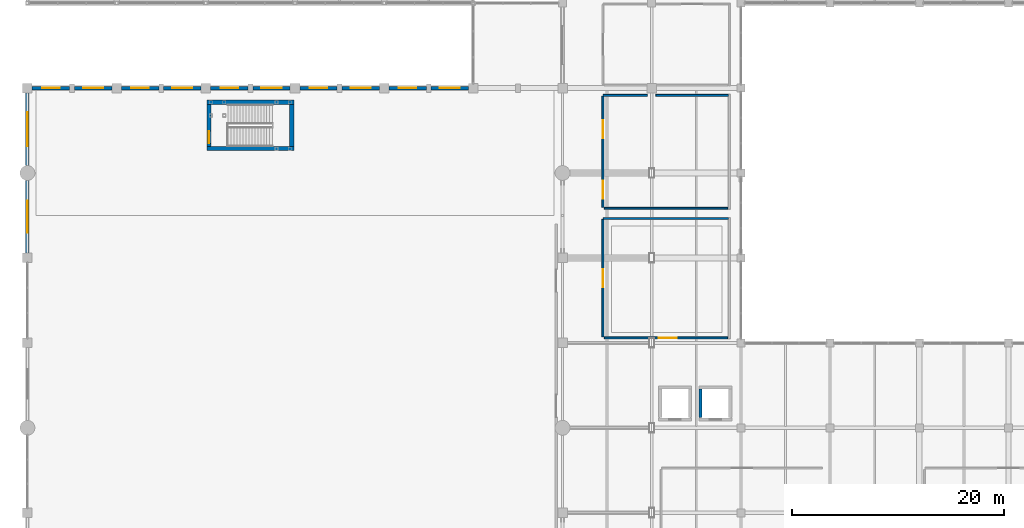
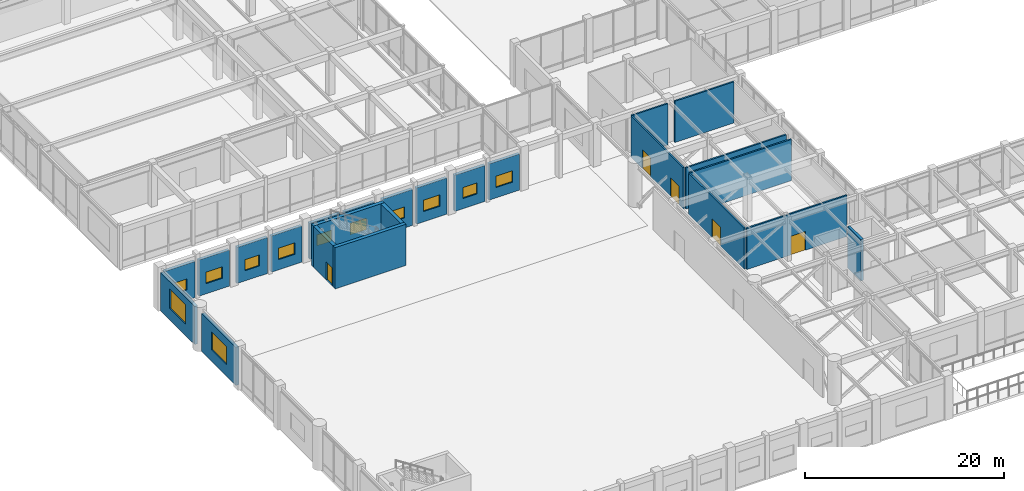
# One storey, part 57 of 79: 24 walls, 12 windows, 5 doors, 17 openings.
"""IFC4 building model written with IfcOpenShell, lengths in metres."""

from ifc_helpers import new_model, si_unit, direction, frame, frame_2d, origin, place, context, subcontext, project, spatial, rectangle, extrude, material, layer, layer_set, type_object, element, fill, save


model = new_model("IFC4")

# Units and contexts
model_context = context("Model", 3, precision=1e-05, world=origin(), true_north=direction((0.0, 1.0)))
body_context = subcontext(model_context, "Body", "Model", "MODEL_VIEW")
ifc_project = project(units=[si_unit("LENGTHUNIT", "METRE"), si_unit("AREAUNIT", "SQUARE_METRE"), si_unit("VOLUMEUNIT", "CUBIC_METRE"), si_unit("PLANEANGLEUNIT", "RADIAN"), si_unit("MASSUNIT", "GRAM", prefix="KILO")], contexts=[model_context])

# Site, building, storey
site_placement = place(None, origin())
site = spatial("IfcSite", under=ifc_project, at=site_placement, CompositionType="ELEMENT")
building_placement = place(site_placement, origin())
building = spatial("IfcBuilding", under=site, at=building_placement, Name="Naruveol Harbour Congress Hotel", CompositionType="ELEMENT")
storey_placement = place(building_placement, frame((0.0, 0.0, 6.0)))
storey = spatial("IfcBuildingStorey", under=building, at=storey_placement, Name="L01", CompositionType="ELEMENT", Elevation=6.0)

# Wall, opening, window
ifc_material_1 = material(Name="Concrete C40/50", Category="concrete")
ifc_layer_1 = layer(ifc_material_1, 0.340087890625)
ifc_layer_set_1 = layer_set([ifc_layer_1], Name="Concrete C40/50")
wall_type_1 = type_object("IfcWallType", Name="ACOUSTIC CONGRESS ENVELOPE WALL 340", PredefinedType="SOLIDWALL", material=ifc_layer_set_1)
wall_1_placement = place(storey_placement, frame((0.0, 40.449951171875, 0.0), z_axis=(0.0, 0.0, 1.0), x_axis=(0.0, 1.0, 0.0)))
wall_1 = element("IfcWall", 1, at=wall_1_placement, inside=storey, type_object=wall_type_1, Name="Congress west quay facade EW-340", PredefinedType="SOLIDWALL", context=body_context, shape_type="SweptSolid", body=[
    extrude(rectangle(XDim=6.85009765625, YDim=0.340087890625, at=frame_2d((3.425048828125, 0.0))), origin(), (0.0, 0.0, 1.0), 4.669921875),
])
opening_1_placement = place(wall_1_placement, frame((1.925048828125, 0.0, 1.39990234375)))
opening_1 = element("IfcOpeningElement", 2, at=opening_1_placement, cuts=wall_1, Name="Opening W-10", PredefinedType="OPENING", context=body_context, shape_type="SweptSolid", body=[
    extrude(rectangle(XDim=3.0, YDim=2.199951171875, at=frame_2d((1.5, 1.10009765625))), frame((0.0, 0.179931640625, 0.0), z_axis=(0.0, -1.0, 0.0), x_axis=(1.0, 0.0, 0.0)), (0.0, 0.0, 1.0), 0.360107421875),
])
ifc_material_2 = material(Name="Low-E Triple Glazing in Thermal Aluminium", Category="aluminium")
window_type_1 = type_object("IfcWindowType", Name="SKY LOUNGE RIBBON WINDOW 3000X2200", PartitioningType="DOUBLE_PANEL_VERTICAL", PredefinedType="WINDOW", material=ifc_material_2)
window_1_placement = place(opening_1_placement, origin())
window_1 = element("IfcWindow", 3, at=window_1_placement, inside=storey, type_object=window_type_1, Name="Window W-10 #43", OverallHeight=2.199951171875, OverallWidth=3.0, PartitioningType="DOUBLE_PANEL_VERTICAL", PredefinedType="WINDOW", context=body_context, shape_type="SweptSolid", body=[
    extrude(rectangle(XDim=3.0, YDim=2.199951171875, at=frame_2d((1.5, 1.10009765625))), frame((0.0, 0.030029296875, 0.0), z_axis=(0.0, -1.0, 0.0), x_axis=(1.0, 0.0, 0.0)), (0.0, 0.0, 1.0), 0.06005859375),
])
fill(opening_1, window_1)

wall_2_placement = place(storey_placement, frame((0.0, 48.699951171875, 0.0), z_axis=(0.0, 0.0, 1.0), x_axis=(0.0, 1.0, 0.0)))
wall_2 = element("IfcWall", 4, at=wall_2_placement, inside=storey, type_object=wall_type_1, Name="Congress west quay facade EW-340", PredefinedType="SOLIDWALL", context=body_context, shape_type="SweptSolid", body=[
    extrude(rectangle(XDim=6.85009765625, YDim=0.340087890625, at=frame_2d((3.425048828125, 0.0))), origin(), (0.0, 0.0, 1.0), 4.669921875),
])
opening_2_placement = place(wall_2_placement, frame((1.824951171875, 0.0, 1.39990234375)))
opening_2 = element("IfcOpeningElement", 5, at=opening_2_placement, cuts=wall_2, Name="Opening W-11", PredefinedType="OPENING", context=body_context, shape_type="SweptSolid", body=[
    extrude(rectangle(XDim=3.199951171875, YDim=2.39990234375, at=frame_2d((1.60009765625, 1.199951171875))), frame((0.0, 0.179931640625, 0.0), z_axis=(0.0, -1.0, 0.0), x_axis=(1.0, 0.0, 0.0)), (0.0, 0.0, 1.0), 0.360107421875),
])
ifc_material_3 = material(Name="Low-E Triple Glazing in Thermal Aluminium", Category="aluminium")
window_type_2 = type_object("IfcWindowType", Name="BRASSERIE WATERFRONT WINDOW 3200X2400", PartitioningType="DOUBLE_PANEL_VERTICAL", PredefinedType="WINDOW", material=ifc_material_3)
window_2_placement = place(opening_2_placement, origin())
window_2 = element("IfcWindow", 6, at=window_2_placement, inside=storey, type_object=window_type_2, Name="Window W-11 #44", OverallHeight=2.39990234375, OverallWidth=3.199951171875, PartitioningType="DOUBLE_PANEL_VERTICAL", PredefinedType="WINDOW", context=body_context, shape_type="SweptSolid", body=[
    extrude(rectangle(XDim=3.199951171875, YDim=2.39990234375, at=frame_2d((1.60009765625, 1.199951171875))), frame((0.0, 0.030029296875, 0.0), z_axis=(0.0, -1.0, 0.0), x_axis=(1.0, 0.0, 0.0)), (0.0, 0.0, 1.0), 0.06005859375),
])
fill(opening_2, window_2)

wall_3_placement = place(storey_placement, frame((0.449951171875, 56.0, 0.0), z_axis=(0.0, 0.0, 1.0), x_axis=(1.0, 0.0, 0.0)))
wall_3 = element("IfcWall", 7, at=wall_3_placement, inside=storey, type_object=wall_type_1, Name="Congress north facade EW-340", PredefinedType="SOLIDWALL", context=body_context, shape_type="SweptSolid", body=[
    extrude(rectangle(XDim=3.525146484375, YDim=0.340087890625, at=frame_2d((1.7626953125, 0.0))), origin(), (0.0, 0.0, 1.0), 4.419921875),
])
opening_3_placement = place(wall_3_placement, frame((0.93798828125, 0.0, 1.25)))
opening_3 = element("IfcOpeningElement", 8, at=opening_3_placement, cuts=wall_3, Name="Opening W-34", PredefinedType="OPENING", context=body_context, shape_type="SweptSolid", body=[
    extrude(rectangle(XDim=1.64990234375, YDim=1.35009765625, at=frame_2d((0.824951171875, 0.675048828125))), frame((0.0, 0.179931640625, 0.0), z_axis=(0.0, -1.0, 0.0), x_axis=(1.0, 0.0, 0.0)), (0.0, 0.0, 1.0), 0.360107421875),
])
ifc_material_4 = material(Name="Low-E Triple Glazing in Thermal Aluminium", Category="aluminium")
window_type_3 = type_object("IfcWindowType", Name="CONCOURSE NORTH BAY WINDOW 1650X1350", PartitioningType="SINGLE_PANEL", PredefinedType="WINDOW", material=ifc_material_4)
window_3_placement = place(opening_3_placement, origin())
window_3 = element("IfcWindow", 9, at=window_3_placement, inside=storey, type_object=window_type_3, Name="Window W-34 #45", OverallHeight=1.35009765625, OverallWidth=1.64990234375, PartitioningType="SINGLE_PANEL", PredefinedType="WINDOW", context=body_context, shape_type="SweptSolid", body=[
    extrude(rectangle(XDim=1.64990234375, YDim=1.35009765625, at=frame_2d((0.824951171875, 0.675048828125))), frame((0.0, 0.030029296875, 0.0), z_axis=(0.0, -1.0, 0.0), x_axis=(1.0, 0.0, 0.0)), (0.0, 0.0, 1.0), 0.06005859375),
])
fill(opening_3, window_3)

wall_4_placement = place(storey_placement, frame((4.425048828125, 56.0, 0.0), z_axis=(0.0, 0.0, 1.0), x_axis=(1.0, 0.0, 0.0)))
wall_4 = element("IfcWall", 10, at=wall_4_placement, inside=storey, type_object=wall_type_1, Name="Congress north facade EW-340", PredefinedType="SOLIDWALL", context=body_context, shape_type="SweptSolid", body=[
    extrude(rectangle(XDim=3.52490234375, YDim=0.340087890625, at=frame_2d((1.762451171875, 0.0))), origin(), (0.0, 0.0, 1.0), 4.419921875),
])
opening_4_placement = place(wall_4_placement, frame((0.81298828125, 0.0, 1.25)))
opening_4 = element("IfcOpeningElement", 11, at=opening_4_placement, cuts=wall_4, Name="Opening W-20", PredefinedType="OPENING", context=body_context, shape_type="SweptSolid", body=[
    extrude(rectangle(XDim=1.89990234375, YDim=1.39990234375, at=frame_2d((0.949951171875, 0.699951171875))), frame((0.0, 0.179931640625, 0.0), z_axis=(0.0, -1.0, 0.0), x_axis=(1.0, 0.0, 0.0)), (0.0, 0.0, 1.0), 0.360107421875),
])
ifc_material_5 = material(Name="Low-E Triple Glazing in Thermal Aluminium", Category="aluminium")
window_type_4 = type_object("IfcWindowType", Name="PRESS BRIEFING WINDOW 1900X1400", PartitioningType="DOUBLE_PANEL_VERTICAL", PredefinedType="WINDOW", material=ifc_material_5)
window_4_placement = place(opening_4_placement, origin())
window_4 = element("IfcWindow", 12, at=window_4_placement, inside=storey, type_object=window_type_4, Name="Window W-20 #46", OverallHeight=1.39990234375, OverallWidth=1.89990234375, PartitioningType="DOUBLE_PANEL_VERTICAL", PredefinedType="WINDOW", context=body_context, shape_type="SweptSolid", body=[
    extrude(rectangle(XDim=1.89990234375, YDim=1.39990234375, at=frame_2d((0.949951171875, 0.699951171875))), frame((0.0, 0.030029296875, 0.0), z_axis=(0.0, -1.0, 0.0), x_axis=(1.0, 0.0, 0.0)), (0.0, 0.0, 1.0), 0.06005859375),
])
fill(opening_4, window_4)

wall_5_placement = place(storey_placement, frame((8.85009765625, 56.0, 0.0), z_axis=(0.0, 0.0, 1.0), x_axis=(1.0, 0.0, 0.0)))
wall_5 = element("IfcWall", 13, at=wall_5_placement, inside=storey, type_object=wall_type_1, Name="Congress north facade EW-340", PredefinedType="SOLIDWALL", context=body_context, shape_type="SweptSolid", body=[
    extrude(rectangle(XDim=3.52490234375, YDim=0.340087890625, at=frame_2d((1.762451171875, 0.0))), origin(), (0.0, 0.0, 1.0), 4.419921875),
])
opening_5_placement = place(wall_5_placement, frame((0.93798828125, 0.0, 1.25)))
opening_5 = element("IfcOpeningElement", 14, at=opening_5_placement, cuts=wall_5, Name="Opening W-34", PredefinedType="OPENING", context=body_context, shape_type="SweptSolid", body=[
    extrude(rectangle(XDim=1.64990234375, YDim=1.35009765625, at=frame_2d((0.824951171875, 0.675048828125))), frame((0.0, 0.179931640625, 0.0), z_axis=(0.0, -1.0, 0.0), x_axis=(1.0, 0.0, 0.0)), (0.0, 0.0, 1.0), 0.360107421875),
])
window_5_placement = place(opening_5_placement, origin())
window_5 = element("IfcWindow", 15, at=window_5_placement, inside=storey, type_object=window_type_3, Name="Window W-34 #47", OverallHeight=1.35009765625, OverallWidth=1.64990234375, PartitioningType="SINGLE_PANEL", PredefinedType="WINDOW", context=body_context, shape_type="SweptSolid", body=[
    extrude(rectangle(XDim=1.64990234375, YDim=1.35009765625, at=frame_2d((0.824951171875, 0.675048828125))), frame((0.0, 0.030029296875, 0.0), z_axis=(0.0, -1.0, 0.0), x_axis=(1.0, 0.0, 0.0)), (0.0, 0.0, 1.0), 0.06005859375),
])
fill(opening_5, window_5)

wall_6_placement = place(storey_placement, frame((12.824951171875, 56.0, 0.0), z_axis=(0.0, 0.0, 1.0), x_axis=(1.0, 0.0, 0.0)))
wall_6 = element("IfcWall", 16, at=wall_6_placement, inside=storey, type_object=wall_type_1, Name="Congress north facade EW-340", PredefinedType="SOLIDWALL", context=body_context, shape_type="SweptSolid", body=[
    extrude(rectangle(XDim=3.525146484375, YDim=0.340087890625, at=frame_2d((1.7626953125, 0.0))), origin(), (0.0, 0.0, 1.0), 4.419921875),
])
opening_6_placement = place(wall_6_placement, frame((0.81298828125, 0.0, 1.25)))
opening_6 = element("IfcOpeningElement", 17, at=opening_6_placement, cuts=wall_6, Name="Opening W-20", PredefinedType="OPENING", context=body_context, shape_type="SweptSolid", body=[
    extrude(rectangle(XDim=1.89990234375, YDim=1.39990234375, at=frame_2d((0.949951171875, 0.699951171875))), frame((0.0, 0.179931640625, 0.0), z_axis=(0.0, -1.0, 0.0), x_axis=(1.0, 0.0, 0.0)), (0.0, 0.0, 1.0), 0.360107421875),
])
window_6_placement = place(opening_6_placement, origin())
window_6 = element("IfcWindow", 18, at=window_6_placement, inside=storey, type_object=window_type_4, Name="Window W-20 #48", OverallHeight=1.39990234375, OverallWidth=1.89990234375, PartitioningType="DOUBLE_PANEL_VERTICAL", PredefinedType="WINDOW", context=body_context, shape_type="SweptSolid", body=[
    extrude(rectangle(XDim=1.89990234375, YDim=1.39990234375, at=frame_2d((0.949951171875, 0.699951171875))), frame((0.0, 0.030029296875, 0.0), z_axis=(0.0, -1.0, 0.0), x_axis=(1.0, 0.0, 0.0)), (0.0, 0.0, 1.0), 0.06005859375),
])
fill(opening_6, window_6)

wall_7_placement = place(storey_placement, frame((17.25, 56.0, 0.0), z_axis=(0.0, 0.0, 1.0), x_axis=(1.0, 0.0, 0.0)))
wall_7 = element("IfcWall", 19, at=wall_7_placement, inside=storey, type_object=wall_type_1, Name="Congress north facade EW-340", PredefinedType="SOLIDWALL", context=body_context, shape_type="SweptSolid", body=[
    extrude(rectangle(XDim=3.52490234375, YDim=0.340087890625, at=frame_2d((1.762451171875, 0.0))), origin(), (0.0, 0.0, 1.0), 4.419921875),
])
opening_7_placement = place(wall_7_placement, frame((0.93701171875, 0.0, 1.25)))
opening_7 = element("IfcOpeningElement", 20, at=opening_7_placement, cuts=wall_7, Name="Opening W-34", PredefinedType="OPENING", context=body_context, shape_type="SweptSolid", body=[
    extrude(rectangle(XDim=1.64990234375, YDim=1.35009765625, at=frame_2d((0.824951171875, 0.675048828125))), frame((0.0, 0.179931640625, 0.0), z_axis=(0.0, -1.0, 0.0), x_axis=(1.0, 0.0, 0.0)), (0.0, 0.0, 1.0), 0.360107421875),
])
window_7_placement = place(opening_7_placement, origin())
window_7 = element("IfcWindow", 21, at=window_7_placement, inside=storey, type_object=window_type_3, Name="Window W-34 #49", OverallHeight=1.35009765625, OverallWidth=1.64990234375, PartitioningType="SINGLE_PANEL", PredefinedType="WINDOW", context=body_context, shape_type="SweptSolid", body=[
    extrude(rectangle(XDim=1.64990234375, YDim=1.35009765625, at=frame_2d((0.824951171875, 0.675048828125))), frame((0.0, 0.030029296875, 0.0), z_axis=(0.0, -1.0, 0.0), x_axis=(1.0, 0.0, 0.0)), (0.0, 0.0, 1.0), 0.06005859375),
])
fill(opening_7, window_7)

wall_8_placement = place(storey_placement, frame((21.22509765625, 56.0, 0.0), z_axis=(0.0, 0.0, 1.0), x_axis=(1.0, 0.0, 0.0)))
wall_8 = element("IfcWall", 22, at=wall_8_placement, inside=storey, type_object=wall_type_1, Name="Congress north facade EW-340", PredefinedType="SOLIDWALL", context=body_context, shape_type="SweptSolid", body=[
    extrude(rectangle(XDim=3.52490234375, YDim=0.340087890625, at=frame_2d((1.762451171875, 0.0))), origin(), (0.0, 0.0, 1.0), 4.419921875),
])
opening_8_placement = place(wall_8_placement, frame((0.81201171875, 0.0, 1.25)))
opening_8 = element("IfcOpeningElement", 23, at=opening_8_placement, cuts=wall_8, Name="Opening W-20", PredefinedType="OPENING", context=body_context, shape_type="SweptSolid", body=[
    extrude(rectangle(XDim=1.89990234375, YDim=1.39990234375, at=frame_2d((0.949951171875, 0.699951171875))), frame((0.0, 0.179931640625, 0.0), z_axis=(0.0, -1.0, 0.0), x_axis=(1.0, 0.0, 0.0)), (0.0, 0.0, 1.0), 0.360107421875),
])
window_8_placement = place(opening_8_placement, origin())
window_8 = element("IfcWindow", 24, at=window_8_placement, inside=storey, type_object=window_type_4, Name="Window W-20 #50", OverallHeight=1.39990234375, OverallWidth=1.89990234375, PartitioningType="DOUBLE_PANEL_VERTICAL", PredefinedType="WINDOW", context=body_context, shape_type="SweptSolid", body=[
    extrude(rectangle(XDim=1.89990234375, YDim=1.39990234375, at=frame_2d((0.949951171875, 0.699951171875))), frame((0.0, 0.030029296875, 0.0), z_axis=(0.0, -1.0, 0.0), x_axis=(1.0, 0.0, 0.0)), (0.0, 0.0, 1.0), 0.06005859375),
])
fill(opening_8, window_8)

wall_9_placement = place(storey_placement, frame((25.64990234375, 56.0, 0.0), z_axis=(0.0, 0.0, 1.0), x_axis=(1.0, 0.0, 0.0)))
wall_9 = element("IfcWall", 25, at=wall_9_placement, inside=storey, type_object=wall_type_1, Name="Congress north facade EW-340", PredefinedType="SOLIDWALL", context=body_context, shape_type="SweptSolid", body=[
    extrude(rectangle(XDim=3.525146484375, YDim=0.340087890625, at=frame_2d((1.7626953125, 0.0))), origin(), (0.0, 0.0, 1.0), 4.419921875),
])
opening_9_placement = place(wall_9_placement, frame((0.93798828125, 0.0, 1.25)))
opening_9 = element("IfcOpeningElement", 26, at=opening_9_placement, cuts=wall_9, Name="Opening W-34", PredefinedType="OPENING", context=body_context, shape_type="SweptSolid", body=[
    extrude(rectangle(XDim=1.64990234375, YDim=1.35009765625, at=frame_2d((0.824951171875, 0.675048828125))), frame((0.0, 0.179931640625, 0.0), z_axis=(0.0, -1.0, 0.0), x_axis=(1.0, 0.0, 0.0)), (0.0, 0.0, 1.0), 0.360107421875),
])
window_9_placement = place(opening_9_placement, origin())
window_9 = element("IfcWindow", 27, at=window_9_placement, inside=storey, type_object=window_type_3, Name="Window W-34 #51", OverallHeight=1.35009765625, OverallWidth=1.64990234375, PartitioningType="SINGLE_PANEL", PredefinedType="WINDOW", context=body_context, shape_type="SweptSolid", body=[
    extrude(rectangle(XDim=1.64990234375, YDim=1.35009765625, at=frame_2d((0.824951171875, 0.675048828125))), frame((0.0, 0.030029296875, 0.0), z_axis=(0.0, -1.0, 0.0), x_axis=(1.0, 0.0, 0.0)), (0.0, 0.0, 1.0), 0.06005859375),
])
fill(opening_9, window_9)

wall_10_placement = place(storey_placement, frame((29.625, 56.0, 0.0), z_axis=(0.0, 0.0, 1.0), x_axis=(1.0, 0.0, 0.0)))
wall_10 = element("IfcWall", 28, at=wall_10_placement, inside=storey, type_object=wall_type_1, Name="Congress north facade EW-340", PredefinedType="SOLIDWALL", context=body_context, shape_type="SweptSolid", body=[
    extrude(rectangle(XDim=3.52490234375, YDim=0.340087890625, at=frame_2d((1.762451171875, 0.0))), origin(), (0.0, 0.0, 1.0), 4.419921875),
])
opening_10_placement = place(wall_10_placement, frame((0.81201171875, 0.0, 1.25)))
opening_10 = element("IfcOpeningElement", 29, at=opening_10_placement, cuts=wall_10, Name="Opening W-20", PredefinedType="OPENING", context=body_context, shape_type="SweptSolid", body=[
    extrude(rectangle(XDim=1.89990234375, YDim=1.39990234375, at=frame_2d((0.949951171875, 0.699951171875))), frame((0.0, 0.179931640625, 0.0), z_axis=(0.0, -1.0, 0.0), x_axis=(1.0, 0.0, 0.0)), (0.0, 0.0, 1.0), 0.360107421875),
])
window_10_placement = place(opening_10_placement, origin())
window_10 = element("IfcWindow", 30, at=window_10_placement, inside=storey, type_object=window_type_4, Name="Window W-20 #52", OverallHeight=1.39990234375, OverallWidth=1.89990234375, PartitioningType="DOUBLE_PANEL_VERTICAL", PredefinedType="WINDOW", context=body_context, shape_type="SweptSolid", body=[
    extrude(rectangle(XDim=1.89990234375, YDim=1.39990234375, at=frame_2d((0.949951171875, 0.699951171875))), frame((0.0, 0.030029296875, 0.0), z_axis=(0.0, -1.0, 0.0), x_axis=(1.0, 0.0, 0.0)), (0.0, 0.0, 1.0), 0.06005859375),
])
fill(opening_10, window_10)

wall_11_placement = place(storey_placement, frame((34.050048828125, 56.0, 0.0), z_axis=(0.0, 0.0, 1.0), x_axis=(1.0, 0.0, 0.0)))
wall_11 = element("IfcWall", 31, at=wall_11_placement, inside=storey, type_object=wall_type_1, Name="Congress north facade EW-340", PredefinedType="SOLIDWALL", context=body_context, shape_type="SweptSolid", body=[
    extrude(rectangle(XDim=3.52490234375, YDim=0.340087890625, at=frame_2d((1.762451171875, 0.0))), origin(), (0.0, 0.0, 1.0), 4.419921875),
])
opening_11_placement = place(wall_11_placement, frame((0.93798828125, 0.0, 1.25)))
opening_11 = element("IfcOpeningElement", 32, at=opening_11_placement, cuts=wall_11, Name="Opening W-34", PredefinedType="OPENING", context=body_context, shape_type="SweptSolid", body=[
    extrude(rectangle(XDim=1.64990234375, YDim=1.35009765625, at=frame_2d((0.824951171875, 0.675048828125))), frame((0.0, 0.179931640625, 0.0), z_axis=(0.0, -1.0, 0.0), x_axis=(1.0, 0.0, 0.0)), (0.0, 0.0, 1.0), 0.360107421875),
])
window_11_placement = place(opening_11_placement, origin())
window_11 = element("IfcWindow", 33, at=window_11_placement, inside=storey, type_object=window_type_3, Name="Window W-34 #53", OverallHeight=1.35009765625, OverallWidth=1.64990234375, PartitioningType="SINGLE_PANEL", PredefinedType="WINDOW", context=body_context, shape_type="SweptSolid", body=[
    extrude(rectangle(XDim=1.64990234375, YDim=1.35009765625, at=frame_2d((0.824951171875, 0.675048828125))), frame((0.0, 0.030029296875, 0.0), z_axis=(0.0, -1.0, 0.0), x_axis=(1.0, 0.0, 0.0)), (0.0, 0.0, 1.0), 0.06005859375),
])
fill(opening_11, window_11)

wall_12_placement = place(storey_placement, frame((38.02490234375, 56.0, 0.0), z_axis=(0.0, 0.0, 1.0), x_axis=(1.0, 0.0, 0.0)))
wall_12 = element("IfcWall", 34, at=wall_12_placement, inside=storey, type_object=wall_type_1, Name="Congress north facade EW-340", PredefinedType="SOLIDWALL", context=body_context, shape_type="SweptSolid", body=[
    extrude(rectangle(XDim=3.525146484375, YDim=0.340087890625, at=frame_2d((1.7626953125, 0.0))), origin(), (0.0, 0.0, 1.0), 4.419921875),
])
opening_12_placement = place(wall_12_placement, frame((0.81201171875, 0.0, 1.25)))
opening_12 = element("IfcOpeningElement", 35, at=opening_12_placement, cuts=wall_12, Name="Opening W-20", PredefinedType="OPENING", context=body_context, shape_type="SweptSolid", body=[
    extrude(rectangle(XDim=1.89990234375, YDim=1.39990234375, at=frame_2d((0.949951171875, 0.699951171875))), frame((0.0, 0.179931640625, 0.0), z_axis=(0.0, -1.0, 0.0), x_axis=(1.0, 0.0, 0.0)), (0.0, 0.0, 1.0), 0.360107421875),
])
window_12_placement = place(opening_12_placement, origin())
window_12 = element("IfcWindow", 36, at=window_12_placement, inside=storey, type_object=window_type_4, Name="Window W-20 #54", OverallHeight=1.39990234375, OverallWidth=1.89990234375, PartitioningType="DOUBLE_PANEL_VERTICAL", PredefinedType="WINDOW", context=body_context, shape_type="SweptSolid", body=[
    extrude(rectangle(XDim=1.89990234375, YDim=1.39990234375, at=frame_2d((0.949951171875, 0.699951171875))), frame((0.0, 0.030029296875, 0.0), z_axis=(0.0, -1.0, 0.0), x_axis=(1.0, 0.0, 0.0)), (0.0, 0.0, 1.0), 0.06005859375),
])
fill(opening_12, window_12)

# Wall, opening, door
ifc_material_6 = material(Name="Autoclaved Aerated Concrete Block", Category="concrete")
ifc_layer_2 = layer(ifc_material_6, 0.179931640625)
ifc_layer_set_2 = layer_set([ifc_layer_2], Name="Autoclaved Aerated Concrete Block")
wall_type_2 = type_object("IfcWallType", Name="ACOUSTIC HALL PARTITION WALL 180 EI60", PredefinedType="PARTITIONING", material=ifc_layer_set_2)
wall_13_placement = place(storey_placement, frame((54.199951171875, 32.56005859375, 0.0), z_axis=(0.0, 0.0, 1.0), x_axis=(0.0, 1.0, 0.0)))
wall_13 = element("IfcWall", 37, at=wall_13_placement, inside=storey, type_object=wall_type_2, Name="Meeting Room 101 west entry wall PW-180", PredefinedType="PARTITIONING", context=body_context, shape_type="SweptSolid", body=[
    extrude(rectangle(XDim=11.079833984375, YDim=0.179931640625, at=frame_2d((5.5400390625, 0.0))), origin(), (0.0, 0.0, 1.0), 5.044921875),
])
opening_13_placement = place(wall_13_placement, frame((4.68994140625, 0.0, 0.0)))
opening_13 = element("IfcOpeningElement", 38, at=opening_13_placement, cuts=wall_13, Name="Opening ID-MT-44", PredefinedType="OPENING", context=body_context, shape_type="SweptSolid", body=[
    extrude(rectangle(XDim=1.699951171875, YDim=2.300048828125, at=frame_2d((0.85009765625, 1.14990234375))), frame((0.0, 0.099853515625, 0.0), z_axis=(0.0, -1.0, 0.0), x_axis=(1.0, 0.0, 0.0)), (0.0, 0.0, 1.0), 0.199951171875),
])
ifc_material_7 = material(Name="Timber & Steel Acoustic Leaf", Category="steel")
door_type_1 = type_object("IfcDoorType", Name="MEETING SALON DOUBLE DOOR 1700X2300", OperationType="DOUBLE_DOOR_SINGLE_SWING", PredefinedType="DOOR", material=ifc_material_7)
door_1_placement = place(opening_13_placement, origin())
door_1 = element("IfcDoor", 39, at=door_1_placement, inside=storey, type_object=door_type_1, Name="Meeting Room 101 Entrance Door", OperationType="DOUBLE_DOOR_SINGLE_SWING", OverallHeight=2.300048828125, OverallWidth=1.699951171875, PredefinedType="DOOR", context=body_context, shape_type="SweptSolid", body=[
    extrude(rectangle(XDim=1.699951171875, YDim=2.300048828125, at=frame_2d((0.85009765625, 1.14990234375))), frame((0.0, 0.02490234375, 0.0), z_axis=(0.0, -1.0, 0.0), x_axis=(1.0, 0.0, 0.0)), (0.0, 0.0, 1.0), 0.050048828125),
])
fill(opening_13, door_1)

wall_14_placement = place(storey_placement, frame((54.340087890625, 32.47998046875, 0.0), z_axis=(0.0, 0.0, 1.0), x_axis=(1.0, 0.0, 0.0)))
wall_14 = element("IfcWall", 40, at=wall_14_placement, inside=storey, type_object=wall_type_2, Name="Meeting Room 101 south partition PW-180", PredefinedType="PARTITIONING", context=body_context, shape_type="SweptSolid", body=[
    extrude(rectangle(XDim=11.60986328125, YDim=0.179931640625, at=frame_2d((5.804931640625, 0.0))), origin(), (0.0, 0.0, 1.0), 5.044921875),
])
opening_14_placement = place(wall_14_placement, frame((5.10009765625, 0.0, 0.0)))
opening_14 = element("IfcOpeningElement", 41, at=opening_14_placement, cuts=wall_14, Name="Opening ID-MT-44B", PredefinedType="OPENING", context=body_context, shape_type="SweptSolid", body=[
    extrude(rectangle(XDim=1.699951171875, YDim=2.300048828125, at=frame_2d((0.85009765625, 1.14990234375))), frame((0.0, 0.099853515625, 0.0), z_axis=(0.0, -1.0, 0.0), x_axis=(1.0, 0.0, 0.0)), (0.0, 0.0, 1.0), 0.199951171875),
])
door_2_placement = place(opening_14_placement, origin())
door_2 = element("IfcDoor", 42, at=door_2_placement, inside=storey, type_object=door_type_1, Name="Meeting Room 101 Second Exit Door", OperationType="DOUBLE_DOOR_SINGLE_SWING", OverallHeight=2.300048828125, OverallWidth=1.699951171875, PredefinedType="DOOR", context=body_context, shape_type="SweptSolid", body=[
    extrude(rectangle(XDim=1.699951171875, YDim=2.300048828125, at=frame_2d((0.85009765625, 1.14990234375))), frame((0.0, 0.02490234375, 0.0), z_axis=(0.0, -1.0, 0.0), x_axis=(1.0, 0.0, 0.0)), (0.0, 0.0, 1.0), 0.050048828125),
])
fill(opening_14, door_2)

# Wall, openings, doors
wall_15_placement = place(storey_placement, frame((54.199951171875, 44.760009765625, 0.0), z_axis=(0.0, 0.0, 1.0), x_axis=(0.0, 1.0, 0.0)))
wall_15 = element("IfcWall", 43, at=wall_15_placement, inside=storey, type_object=wall_type_2, Name="Meeting Room 102 west entry wall PW-180", PredefinedType="PARTITIONING", context=body_context, shape_type="SweptSolid", body=[
    extrude(rectangle(XDim=10.47998046875, YDim=0.179931640625, at=frame_2d((5.239990234375, 0.0))), origin(), (0.0, 0.0, 1.0), 5.044921875),
])
opening_15_placement = place(wall_15_placement, frame((0.800048828125, 0.0, 0.0)))
opening_15 = element("IfcOpeningElement", 44, at=opening_15_placement, cuts=wall_15, Name="Opening ID-MT-45", PredefinedType="OPENING", context=body_context, shape_type="SweptSolid", body=[
    extrude(rectangle(XDim=1.699951171875, YDim=2.300048828125, at=frame_2d((0.85009765625, 1.14990234375))), frame((0.0, 0.099853515625, 0.0), z_axis=(0.0, -1.0, 0.0), x_axis=(1.0, 0.0, 0.0)), (0.0, 0.0, 1.0), 0.199951171875),
])
opening_16_placement = place(wall_15_placement, frame((6.5, 0.0, 0.0)))
opening_16 = element("IfcOpeningElement", 45, at=opening_16_placement, cuts=wall_15, Name="Opening ID-MT-45B", PredefinedType="OPENING", context=body_context, shape_type="SweptSolid", body=[
    extrude(rectangle(XDim=1.699951171875, YDim=2.300048828125, at=frame_2d((0.85009765625, 1.14990234375))), frame((0.0, 0.099853515625, 0.0), z_axis=(0.0, -1.0, 0.0), x_axis=(1.0, 0.0, 0.0)), (0.0, 0.0, 1.0), 0.199951171875),
])
door_3_placement = place(opening_15_placement, origin())
door_3 = element("IfcDoor", 46, at=door_3_placement, inside=storey, type_object=door_type_1, Name="Meeting Room 102 Entrance Door", OperationType="DOUBLE_DOOR_SINGLE_SWING", OverallHeight=2.300048828125, OverallWidth=1.699951171875, PredefinedType="DOOR", context=body_context, shape_type="SweptSolid", body=[
    extrude(rectangle(XDim=1.699951171875, YDim=2.300048828125, at=frame_2d((0.85009765625, 1.14990234375))), frame((0.0, 0.02490234375, 0.0), z_axis=(0.0, -1.0, 0.0), x_axis=(1.0, 0.0, 0.0)), (0.0, 0.0, 1.0), 0.050048828125),
])
fill(opening_15, door_3)
door_4_placement = place(opening_16_placement, origin())
door_4 = element("IfcDoor", 47, at=door_4_placement, inside=storey, type_object=door_type_1, Name="Meeting Room 102 Second Exit Door", OperationType="DOUBLE_DOOR_SINGLE_SWING", OverallHeight=2.300048828125, OverallWidth=1.699951171875, PredefinedType="DOOR", context=body_context, shape_type="SweptSolid", body=[
    extrude(rectangle(XDim=1.699951171875, YDim=2.300048828125, at=frame_2d((0.85009765625, 1.14990234375))), frame((0.0, 0.02490234375, 0.0), z_axis=(0.0, -1.0, 0.0), x_axis=(1.0, 0.0, 0.0)), (0.0, 0.0, 1.0), 0.050048828125),
])
fill(opening_16, door_4)

# Walls
wall_16_placement = place(storey_placement, frame((54.340087890625, 44.679931640625, 0.0), z_axis=(0.0, 0.0, 1.0), x_axis=(1.0, 0.0, 0.0)))
element("IfcWall", 48, at=wall_16_placement, inside=storey, type_object=wall_type_2, Name="Meeting Room 102 south partition PW-180", PredefinedType="PARTITIONING", context=body_context, shape_type="SweptSolid", body=[
    extrude(rectangle(XDim=11.60986328125, YDim=0.179931640625, at=frame_2d((5.804931640625, 0.0))), origin(), (0.0, 0.0, 1.0), 5.044921875),
])
wall_17_placement = place(storey_placement, frame((54.23193359375, 43.719970703125, 0.0), z_axis=(0.0, 0.0, 1.0), x_axis=(1.0, 0.0, 0.0)))
element("IfcWall", 49, at=wall_17_placement, inside=storey, type_object=wall_type_2, Name="Meeting Room 101 north enclosure partition PW-180", PredefinedType="PARTITIONING", context=body_context, shape_type="SweptSolid", body=[
    extrude(rectangle(XDim=11.798095703125, YDim=0.179931640625, at=frame_2d((5.89892578125, 0.0))), origin(), (0.0, 0.0, 1.0), 5.044921875),
])
wall_18_placement = place(storey_placement, frame((54.23193359375, 55.320068359375, 0.0), z_axis=(0.0, 0.0, 1.0), x_axis=(1.0, 0.0, 0.0)))
element("IfcWall", 50, at=wall_18_placement, inside=storey, type_object=wall_type_2, Name="Meeting Room 102 north enclosure partition PW-180", PredefinedType="PARTITIONING", context=body_context, shape_type="SweptSolid", body=[
    extrude(rectangle(XDim=4.16796875, YDim=0.179931640625, at=frame_2d((2.083984375, 0.0))), origin(), (0.0, 0.0, 1.0), 5.044921875),
])
wall_19_placement = place(storey_placement, frame((59.199951171875, 55.320068359375, 0.0), z_axis=(0.0, 0.0, 1.0), x_axis=(1.0, 0.0, 0.0)))
element("IfcWall", 51, at=wall_19_placement, inside=storey, type_object=wall_type_2, Name="Meeting Room 102 north enclosure partition PW-180", PredefinedType="PARTITIONING", context=body_context, shape_type="SweptSolid", body=[
    extrude(rectangle(XDim=6.830078125, YDim=0.179931640625, at=frame_2d((3.4150390625, 0.0))), origin(), (0.0, 0.0, 1.0), 5.044921875),
])
ifc_material_8 = material(Name="Concrete C50/60", Category="concrete")
ifc_layer_3 = layer(ifc_material_8, 0.39990234375)
ifc_layer_set_3 = layer_set([ifc_layer_3], Name="Concrete C50/60")
wall_type_3 = type_object("IfcWallType", Name="RC CORE SHEAR WALL 400 EI120", PredefinedType="SHEAR", material=ifc_layer_set_3)
wall_20_placement = place(storey_placement, frame((16.89990234375, 50.300048828125, 0.0), z_axis=(0.0, 0.0, 1.0), x_axis=(1.0, 0.0, 0.0)))
element("IfcWall", 52, at=wall_20_placement, inside=storey, type_object=wall_type_3, Name="Stair ST6 south core wall CW-400", PredefinedType="SHEAR", context=body_context, shape_type="SweptSolid", body=[
    extrude(rectangle(XDim=8.2001953125, YDim=0.39990234375, at=frame_2d((4.10009765625, 0.0))), origin(), (0.0, 0.0, 1.0), 5.044921875),
])
wall_21_placement = place(storey_placement, frame((24.89990234375, 50.5048828125, 0.0), z_axis=(0.0, 0.0, 1.0), x_axis=(0.0, 1.0, 0.0)))
element("IfcWall", 53, at=wall_21_placement, inside=storey, type_object=wall_type_3, Name="Stair ST6 east core wall CW-400", PredefinedType="SHEAR", context=body_context, shape_type="SweptSolid", body=[
    extrude(rectangle(XDim=3.9501953125, YDim=0.39990234375, at=frame_2d((1.97509765625, 0.0))), origin(), (0.0, 0.0, 1.0), 5.044921875),
])
wall_22_placement = place(storey_placement, frame((16.89990234375, 54.659912109375, 0.0), z_axis=(0.0, 0.0, 1.0), x_axis=(1.0, 0.0, 0.0)))
element("IfcWall", 54, at=wall_22_placement, inside=storey, type_object=wall_type_3, Name="Stair ST6 north core wall CW-400", PredefinedType="SHEAR", context=body_context, shape_type="SweptSolid", body=[
    extrude(rectangle(XDim=8.2001953125, YDim=0.39990234375, at=frame_2d((4.10009765625, 0.0))), origin(), (0.0, 0.0, 1.0), 5.044921875),
])

# Wall, opening, door
wall_23_placement = place(storey_placement, frame((17.10009765625, 50.5048828125, 0.0), z_axis=(0.0, 0.0, 1.0), x_axis=(0.0, 1.0, 0.0)))
wall_23 = element("IfcWall", 55, at=wall_23_placement, inside=storey, type_object=wall_type_3, Name="Stair ST6 west core wall CW-400", PredefinedType="SHEAR", context=body_context, shape_type="SweptSolid", body=[
    extrude(rectangle(XDim=3.9501953125, YDim=0.39990234375, at=frame_2d((1.97509765625, 0.0))), origin(), (0.0, 0.0, 1.0), 5.044921875),
])
opening_17_placement = place(wall_23_placement, frame((0.280029296875, 0.0, 0.0)))
opening_17 = element("IfcOpeningElement", 56, at=opening_17_placement, cuts=wall_23, Name="Opening FD-ST6-L01", PredefinedType="OPENING", context=body_context, shape_type="SweptSolid", body=[
    extrude(rectangle(XDim=1.159912109375, YDim=2.199951171875, at=frame_2d((0.580078125, 1.10009765625))), frame((0.0, 0.2099609375, 0.0), z_axis=(0.0, -1.0, 0.0), x_axis=(1.0, 0.0, 0.0)), (0.0, 0.0, 1.0), 0.419921875),
])
ifc_material_9 = material(Name="Timber & Steel Acoustic Leaf", Category="steel")
door_type_2 = type_object("IfcDoorType", Name="SPECIAL ESCAPE STAIR FIRE DOOR 1160X2200", OperationType="NOTDEFINED", PredefinedType="DOOR", material=ifc_material_9)
door_5_placement = place(opening_17_placement, origin())
door_5 = element("IfcDoor", 57, at=door_5_placement, inside=storey, type_object=door_type_2, Name="Enclosed Exit Stair Door ST6 L01", OperationType="SINGLE_SWING_RIGHT", OverallHeight=2.199951171875, OverallWidth=1.159912109375, PredefinedType="DOOR", context=body_context, shape_type="SweptSolid", body=[
    extrude(rectangle(XDim=1.159912109375, YDim=2.199951171875, at=frame_2d((0.580078125, 1.10009765625))), frame((0.0, 0.02490234375, 0.0), z_axis=(0.0, -1.0, 0.0), x_axis=(1.0, 0.0, 0.0)), (0.0, 0.0, 1.0), 0.050048828125),
])
fill(opening_17, door_5)

# Wall
ifc_material_10 = material(Name="Concrete C50/60", Category="concrete")
ifc_layer_4 = layer(ifc_material_10, 0.300048828125)
ifc_layer_set_4 = layer_set([ifc_layer_4], Name="Concrete C50/60")
wall_type_4 = type_object("IfcWallType", Name="RC STAIR AND HOISTWAY SHEAR WALL 300 EI120", PredefinedType="SHEAR", material=ifc_layer_set_4)
wall_24_placement = place(storey_placement, frame((63.39990234375, 27.64501953125, 0.0), z_axis=(0.0, 0.0, 1.0), x_axis=(0.0, -1.0, 0.0)))
element("IfcWall", 58, at=wall_24_placement, inside=storey, type_object=wall_type_4, Name="Hoistway west shear wall CL2 SW-300", PredefinedType="SHEAR", context=body_context, shape_type="SweptSolid", body=[
    extrude(rectangle(XDim=2.68994140625, YDim=0.300048828125, at=frame_2d((1.344970703125, 0.0))), origin(), (0.0, 0.0, 1.0), 5.044921875),
])

save(model, "model.ifc")
